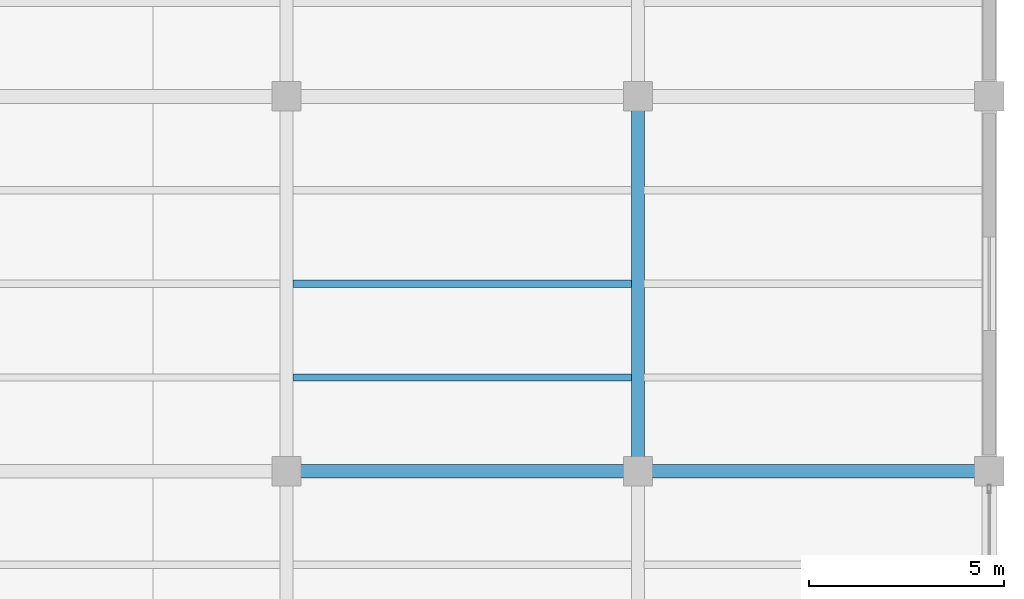
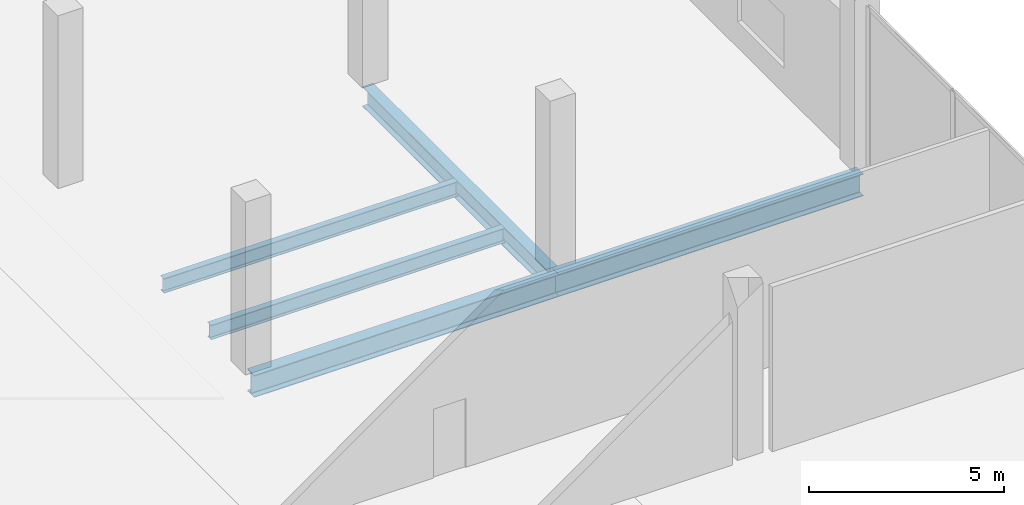
# One storey, part 23 of 47: 5 beams.
"""IFC4 building model written with IfcOpenShell, lengths in metres."""

from ifc_helpers import new_model, si_unit, direction, frame, origin, origin_2d, place, context, subcontext, project, spatial, i_section, extrude, material, material_profile, profile_set, type_object, element, save


model = new_model("IFC4")

# Units and contexts
model_context = context("Model", 3, precision=1e-05, world=origin(), true_north=direction((0.0, 1.0)))
body_context = subcontext(model_context, "Body", "Model", "MODEL_VIEW")
ifc_project = project(units=[si_unit("LENGTHUNIT", "METRE"), si_unit("AREAUNIT", "SQUARE_METRE"), si_unit("VOLUMEUNIT", "CUBIC_METRE"), si_unit("PLANEANGLEUNIT", "RADIAN"), si_unit("MASSUNIT", "GRAM", prefix="KILO")], contexts=[model_context])

# Site, building, storey
site_placement = place(None, origin())
site = spatial("IfcSite", under=ifc_project, at=site_placement, CompositionType="ELEMENT")
building_placement = place(site_placement, origin())
building = spatial("IfcBuilding", under=site, at=building_placement, Name="Qorvath Tower", CompositionType="ELEMENT")
storey_placement = place(building_placement, frame((0.0, 0.0, 6.60009765625)))
storey = spatial("IfcBuildingStorey", under=building, at=storey_placement, Name="L01", CompositionType="ELEMENT", Elevation=6.60009765625)

# Beams
ifc_material_1 = material(Name="Steel ASTM A992 Grade 50", Category="steel")
ifc_material_profile_1 = material_profile(ifc_material_1, i_section(OverallWidth=0.35595703125, OverallDepth=0.696044921875, WebThickness=0.015380859375, FlangeThickness=0.02490234375, FilletRadius=0.01806640625, at=origin_2d()), Name="W27x146")
ifc_profile_set_1 = profile_set([ifc_material_profile_1], Name="Steel ASTM A992 Grade 50")
beam_type_1 = type_object("IfcBeamType", Name="BM-FG4", PredefinedType="BEAM", material=ifc_profile_set_1)
for number, where, z_axis, x_axis, name in (
    (1, (59.39990234375, 19.199951171875, -0.60791015625), (1.0, 0.0, 0.0), (0.0, 1.0, 0.0), "Library E-W Girder L01-7-4"),
    (2, (68.39990234375, 19.199951171875, -0.60791015625), (1.0, 0.0, 0.0), (0.0, 1.0, 0.0), "Library E-W Girder L01-7-5"),
):
    element("IfcBeam", number, at=place(storey_placement, frame(where, z_axis=z_axis, x_axis=x_axis)), inside=storey, type_object=beam_type_1, Name=name, PredefinedType="BEAM", context=body_context, shape_type="SweptSolid", body=[
        extrude(i_section(OverallWidth=0.35595703125, OverallDepth=0.696044921875, WebThickness=0.015380859375, FlangeThickness=0.02490234375, FilletRadius=0.01806640625, at=origin_2d()), origin(), (0.0, 0.0, 1.0), 9.0),
    ])
ifc_material_2 = material(Name="Steel ASTM A992 Grade 50", Category="steel")
ifc_material_profile_2 = material_profile(ifc_material_2, i_section(OverallWidth=0.324951171875, OverallDepth=0.615966796875, WebThickness=0.013916015625, FlangeThickness=0.021484375, FilletRadius=0.01611328125, at=origin_2d()), Name="W24x117")
ifc_profile_set_2 = profile_set([ifc_material_profile_2], Name="Steel ASTM A992 Grade 50")
beam_type_2 = type_object("IfcBeamType", Name="BM-FG5", PredefinedType="BEAM", material=ifc_profile_set_2)
beam_placement = place(storey_placement, frame((68.39990234375, 19.199951171875, -0.568115234375), z_axis=(0.0, 1.0, 0.0), x_axis=(-1.0, 0.0, 0.0)))
element("IfcBeam", 3, at=beam_placement, inside=storey, type_object=beam_type_2, Name="Library N-S Girder L01-5-7", PredefinedType="BEAM", context=body_context, shape_type="SweptSolid", body=[
    extrude(i_section(OverallWidth=0.324951171875, OverallDepth=0.615966796875, WebThickness=0.013916015625, FlangeThickness=0.021484375, FilletRadius=0.01611328125, at=origin_2d()), origin(), (0.0, 0.0, 1.0), 9.60009765625),
])
ifc_material_3 = material(Name="Steel ASTM A992 Grade 50", Category="steel")
ifc_material_profile_3 = material_profile(ifc_material_3, i_section(OverallWidth=0.18994140625, OverallDepth=0.45703125, WebThickness=0.009033203125, FlangeThickness=0.014404296875, FilletRadius=0.011962890625, at=origin_2d()), Name="W18x50")
ifc_profile_set_3 = profile_set([ifc_material_profile_3], Name="Steel ASTM A992 Grade 50")
beam_type_3 = type_object("IfcBeamType", Name="BM-FJ2", PredefinedType="JOIST", material=ifc_profile_set_3)
for number, where, z_axis, x_axis, name in (
    (4, (59.560546875, 21.60009765625, -0.488525390625), (1.0, 0.0, 0.0), (0.0, 1.0, 0.0), "Library Stack Joist L01-7.1-4"),
    (5, (59.560546875, 24.0, -0.488525390625), (1.0, 0.0, 0.0), (0.0, 1.0, 0.0), "Library Stack Joist L01-7.2-4"),
):
    element("IfcBeam", number, at=place(storey_placement, frame(where, z_axis=z_axis, x_axis=x_axis)), inside=storey, type_object=beam_type_3, Name=name, PredefinedType="JOIST", context=body_context, shape_type="SweptSolid", body=[
        extrude(i_section(OverallWidth=0.18994140625, OverallDepth=0.45703125, WebThickness=0.009033203125, FlangeThickness=0.014404296875, FilletRadius=0.011962890625, at=origin_2d()), origin(), (0.0, 0.0, 1.0), 8.678955078125),
    ])

save(model, "model.ifc")
